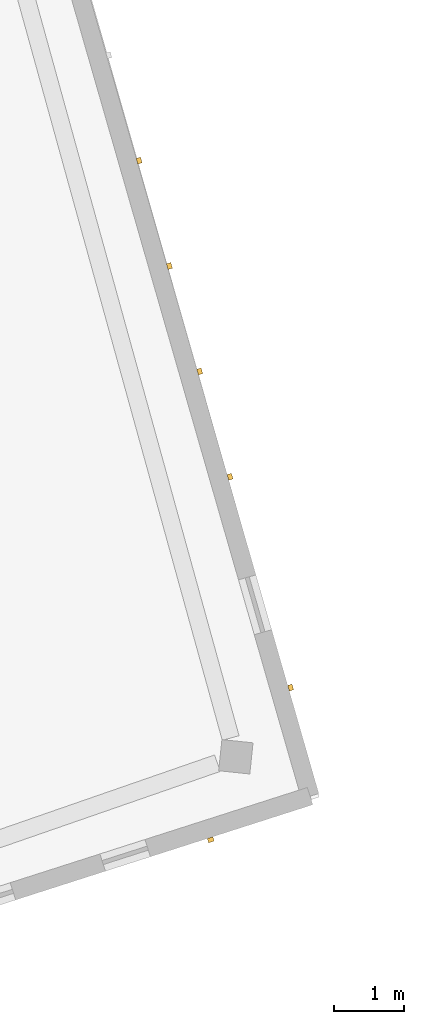
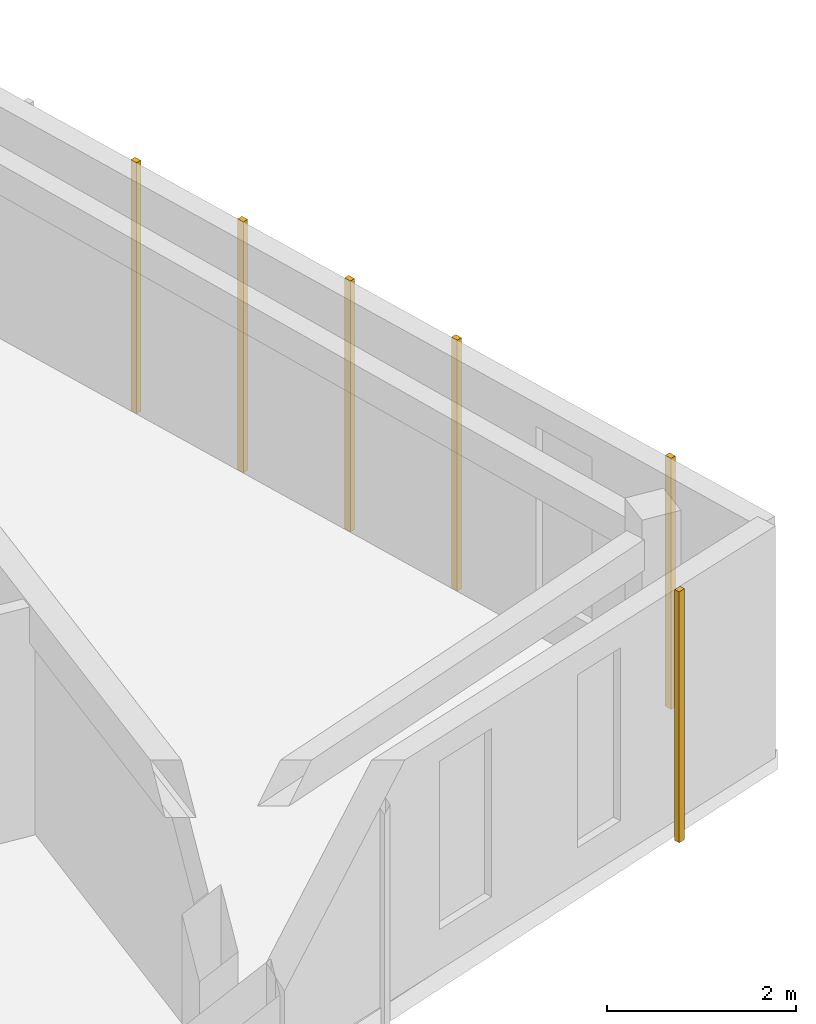
# One storey, part 54 of 56: 6 coverings.
"""IFC4 building model written with IfcOpenShell, lengths in metres."""

import ifcopenshell
import ifcopenshell.guid

model = None  # the IFC model being written
_history = None  # IfcOwnerHistory: only IFC2X3 demands one
_inside = {}  # id of a spatial element -> (the spatial element, [elements in it])
_under = {}  # id of a project, library or spatial element -> (it, [spatial elements below it])
_declared = {}  # id of a project -> (the project, [libraries it declares])
_typed = {}  # id of a type object -> (the type object, [elements of that type])
_made_of = {}  # id of a material, layer set ... -> (it, [elements and type objects made of it])


def new_model(schema):
    """Start an empty IFC model of exactly this schema.

    Asked for "IFC4X3", IfcOpenShell would pick the latest addendum, in which some entities
    have other attributes; the version numbers below select the first issue.
    IFC2X3 requires an IfcOwnerHistory on every rooted entity: one is made here for all.
    """
    global model, _history
    if schema == "IFC4X3":
        model = ifcopenshell.file(schema_version=(4, 3, 0, 0))
    else:
        model = ifcopenshell.file(schema=schema)
    _inside.clear()
    _under.clear()
    _declared.clear()
    _typed.clear()
    _made_of.clear()
    _history = None
    if model.schema == "IFC2X3":
        org = make("IfcOrganization", Name="unknown")
        user = make(
            "IfcPersonAndOrganization",
            ThePerson=make("IfcPerson", FamilyName="unknown"),
            TheOrganization=org,
        )
        app = make(
            "IfcApplication",
            ApplicationDeveloper=org,
            Version="unknown",
            ApplicationFullName="unknown",
            ApplicationIdentifier="unknown",
        )
        _history = make(
            "IfcOwnerHistory",
            OwningUser=user,
            OwningApplication=app,
            ChangeAction="ADDED",
            CreationDate=0,
        )
    return model


def make(cls, **values):
    """One entity of the class cls with the attributes given. An attribute that is None is left unset."""
    return model.create_entity(
        cls, **{name: value for name, value in values.items() if value is not None}
    )


def rooted(cls, **values):
    """An entity with a GlobalId (a new one), such as an element, a storey or a relation."""
    return make(cls, GlobalId=ifcopenshell.guid.new(), OwnerHistory=_history, **values)


def si_unit(unit_type, name, prefix=None):
    """IfcSIUnit, for example si_unit("LENGTHUNIT", "METRE", prefix="MILLI")."""
    return make("IfcSIUnit", UnitType=unit_type, Prefix=prefix, Name=name)


def assignment(units):
    """IfcUnitAssignment: the units of a project."""
    return None if units is None else make("IfcUnitAssignment", Units=units)


def point(xyz):
    """IfcCartesianPoint."""
    return None if xyz is None else make("IfcCartesianPoint", Coordinates=xyz)


def direction(xyz):
    """IfcDirection."""
    return None if xyz is None else make("IfcDirection", DirectionRatios=xyz)


def frame(location, z_axis=None, x_axis=None):
    """IfcAxis2Placement3D, a coordinate frame: its origin and axes. An axis left out is left unset."""
    return make(
        "IfcAxis2Placement3D",
        Location=point(location),
        Axis=direction(z_axis),
        RefDirection=direction(x_axis),
    )


def frame_2d(location, x_axis=None):
    """IfcAxis2Placement2D, a coordinate frame in the plane: its origin and x axis."""
    return make(
        "IfcAxis2Placement2D", Location=point(location), RefDirection=direction(x_axis)
    )


def origin():
    """The frame at (0, 0, 0) with its axes left unset."""
    return frame((0.0, 0.0, 0.0))


def origin_2d():
    """The frame at (0, 0) in the plane with its x axis left unset."""
    return frame_2d((0.0, 0.0))


def place(relative_to, where):
    """IfcLocalPlacement: puts the frame where relative to a parent placement (None: the world)."""
    return make(
        "IfcLocalPlacement", PlacementRelTo=relative_to, RelativePlacement=where
    )


def context(
    kind, dimensions, precision=None, world=None, true_north=None, identifier=None
):
    """IfcGeometricRepresentationContext, for example the 3D "Model" context."""
    return make(
        "IfcGeometricRepresentationContext",
        ContextIdentifier=identifier,
        ContextType=kind,
        CoordinateSpaceDimension=dimensions,
        Precision=precision,
        WorldCoordinateSystem=world,
        TrueNorth=true_north,
    )


def subcontext(parent, identifier, kind, view, scale=None):
    """IfcGeometricRepresentationSubContext, for example "Body" below "Model"."""
    return make(
        "IfcGeometricRepresentationSubContext",
        ContextIdentifier=identifier,
        ContextType=kind,
        ParentContext=parent,
        TargetScale=scale,
        TargetView=view,
    )


def project(units=None, contexts=None):
    """IfcProject with its units and contexts."""
    return rooted(
        "IfcProject",
        Name="project",
        RepresentationContexts=contexts,
        UnitsInContext=assignment(units),
    )


def spatial(cls, under=None, at=None, **own):
    """A site, building, storey or space (cls), placed at a placement, below another one or the project."""
    s = rooted(cls, ObjectPlacement=at, **own)
    if under is not None:
        _under.setdefault(under.id(), (under, []))[1].append(s)
    return s


def profile(cls, at=None, kind="AREA", **sizes):
    """A parametric profile (cls). Its sizes go by their IFC names, for example OverallWidth=200.0."""
    return make(cls, ProfileType=kind, Position=at, **sizes)


def rectangle(**sizes):
    """IfcRectangleProfileDef."""
    return profile("IfcRectangleProfileDef", **sizes)


def extrude(swept, where, along, depth):
    """IfcExtrudedAreaSolid: the profile swept, set in the frame where, extruded along a direction by depth."""
    return make(
        "IfcExtrudedAreaSolid",
        SweptArea=swept,
        Position=where,
        ExtrudedDirection=direction(along),
        Depth=depth,
    )


def shape(context_of_items, identifier, shape_type, items):
    """IfcShapeRepresentation: the items that make up one representation, for example the "Body"."""
    return make(
        "IfcShapeRepresentation",
        ContextOfItems=context_of_items,
        RepresentationIdentifier=identifier,
        RepresentationType=shape_type,
        Items=items,
    )


def material(Name=None, Category=None):
    """IfcMaterial."""
    return make("IfcMaterial", Name=Name, Category=Category)


def layer(
    of_material, thickness, ventilated=None, Name=None, Category=None, Priority=None
):
    """IfcMaterialLayer: one layer of a wall or slab, of a material (None: an air gap)."""
    return make(
        "IfcMaterialLayer",
        Material=of_material,
        LayerThickness=thickness,
        IsVentilated=ventilated,
        Name=Name,
        Category=Category,
        Priority=Priority,
    )


def layer_set(layers, Name=None):
    """IfcMaterialLayerSet."""
    return make("IfcMaterialLayerSet", MaterialLayers=layers, LayerSetName=Name)


def made_of(thing, what):
    """Note that an element or type object is made of a material, layer set ...; save() writes the relation."""
    if what is not None:
        _made_of.setdefault(what.id(), (what, []))[1].append(thing)
    return thing


def type_object(cls, material=None, **own):
    """A type object (cls), such as IfcWallType, which elements share."""
    return made_of(rooted(cls, **own), material)


def element(
    cls,
    number,
    at=None,
    inside=None,
    cuts=None,
    type_object=None,
    material=None,
    context=None,
    identifier="Body",
    shape_type=None,
    held_by="IfcProductDefinitionShape",
    body=None,
    shapes=None,
    **own,
):
    """One element of the class cls, such as IfcWall. Its Tag is "e" and its number.

    at: its placement. inside: the storey or other place that contains it. cuts: it is an
    opening in that element (IfcRelVoidsElement). A single representation is given by context,
    identifier, shape_type and body (its items); several are given by shapes. held_by: the class
    of the entity that holds the representations. save() writes the other relations.
    """
    e = rooted(cls, Tag="e%d" % number, ObjectPlacement=at, **own)
    if body is not None:
        shapes = [shape(context, identifier, shape_type, body)]
    if shapes is not None:
        e.Representation = make(held_by, Representations=shapes)
    if inside is not None:
        _inside.setdefault(inside.id(), (inside, []))[1].append(e)
    if cuts is not None:
        rooted(
            "IfcRelVoidsElement", RelatingBuildingElement=cuts, RelatedOpeningElement=e
        )
    if type_object is not None:
        _typed.setdefault(type_object.id(), (type_object, []))[1].append(e)
    return made_of(e, material)


def aggregate(whole, parts):
    """IfcRelAggregates: a whole, such as a stair, and the parts it consists of."""
    return rooted("IfcRelAggregates", RelatingObject=whole, RelatedObjects=parts)


def save(model, path):
    """Write the relations noted so far, then the file.

    IfcRelAggregates (storeys below a building ...), IfcRelContainedInSpatialStructure (elements
    in a storey), IfcRelDefinesByType, IfcRelAssociatesMaterial and IfcRelDeclares: one each for
    every whole, place, type object, material and project.
    """
    for whole, parts in _under.values():
        aggregate(whole, parts)
    for where, things in _inside.values():
        rooted(
            "IfcRelContainedInSpatialStructure",
            RelatedElements=things,
            RelatingStructure=where,
        )
    for kind, things in _typed.values():
        rooted("IfcRelDefinesByType", RelatedObjects=things, RelatingType=kind)
    for what, things in _made_of.values():
        rooted("IfcRelAssociatesMaterial", RelatedObjects=things, RelatingMaterial=what)
    for by, libraries in _declared.values():
        rooted("IfcRelDeclares", RelatingContext=by, RelatedDefinitions=libraries)
    model.write(path)


model = new_model("IFC4")

# Units and contexts
model_context = context("Model", 3, precision=1e-05, world=origin(), true_north=direction((0.0, 1.0)))
body_context = subcontext(model_context, "Body", "Model", "MODEL_VIEW")
ifc_project = project(units=[si_unit("LENGTHUNIT", "METRE"), si_unit("AREAUNIT", "SQUARE_METRE"), si_unit("VOLUMEUNIT", "CUBIC_METRE"), si_unit("PLANEANGLEUNIT", "RADIAN"), si_unit("MASSUNIT", "GRAM", prefix="KILO")], contexts=[model_context])

# Site, building, storey
site_placement = place(None, origin())
site = spatial("IfcSite", under=ifc_project, at=site_placement, CompositionType="ELEMENT")
building_placement = place(site_placement, origin())
building = spatial("IfcBuilding", under=site, at=building_placement, Name="Kestramere Prow Commons", CompositionType="ELEMENT")
storey_placement = place(building_placement, frame((0.0, 0.0, 27.89990234375)))
storey = spatial("IfcBuildingStorey", under=building, at=storey_placement, Name="L08", CompositionType="ELEMENT", Elevation=27.89990234375)

# Coverings
ifc_material = material(Name="Weathered Zinc-Titanium Standing-Seam Cladding")
ifc_layer = layer(ifc_material, 0.074951171875)
ifc_layer_set = layer_set([ifc_layer], Name="Weathered Zinc-Titanium Standing-Seam Cladding")
covering_type = type_object("IfcCoveringType", Name="COV-CLAD-SEAM", PredefinedType="CLADDING", material=ifc_layer_set)
for number, where, z_axis, x_axis, name in (
    (1, (163.131103515625, 100.7021484375, -0.25), (0.0, 0.0, 1.0), (0.27631844013, -0.961066136977, 0.0), "EW-B-L08-PRW-N Standing-Seam Rib 6"),
    (2, (163.56640625, 99.18798828125, -0.25), (0.0, 0.0, 1.0), (0.27631844013, -0.961066136977, 0.0), "EW-B-L08-PRW-N Standing-Seam Rib 7"),
    (3, (164.001708984375, 97.673583984375, -0.25), (0.0, 0.0, 1.0), (0.27631844013, -0.961066136977, 0.0), "EW-B-L08-PRW-N Standing-Seam Rib 8"),
    (4, (164.437255859375, 96.159423828125, -0.25), (0.0, 0.0, 1.0), (0.27631844013, -0.961066136977, 0.0), "EW-B-L08-PRW-N Standing-Seam Rib 9"),
    (5, (165.307861328125, 93.131103515625, -0.25), (0.0, 0.0, 1.0), (0.27631844013, -0.961066136977, 0.0), "EW-B-L08-PRW-N Standing-Seam Rib 11"),
    (6, (164.16015625, 90.94384765625, -0.25), (0.0, 0.0, 1.0), (-0.952283464374, -0.305215011884, 0.0), "EW-B-L08-PRW-S Standing-Seam Rib 1"),
):
    element("IfcCovering", number, at=place(storey_placement, frame(where, z_axis=z_axis, x_axis=x_axis)), inside=storey, type_object=covering_type, Name=name, PredefinedType="CLADDING", context=body_context, shape_type="SweptSolid", body=[
        extrude(rectangle(XDim=0.0849609375, YDim=0.06494140625, at=origin_2d()), origin(), (0.0, 0.0, 1.0), 3.25),
    ])

save(model, "model.ifc")
